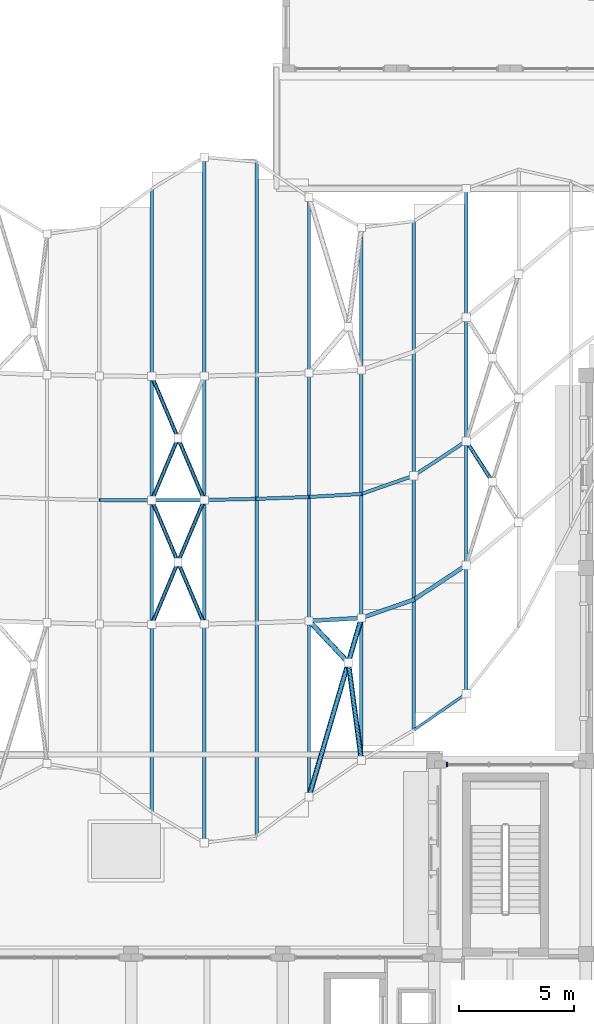
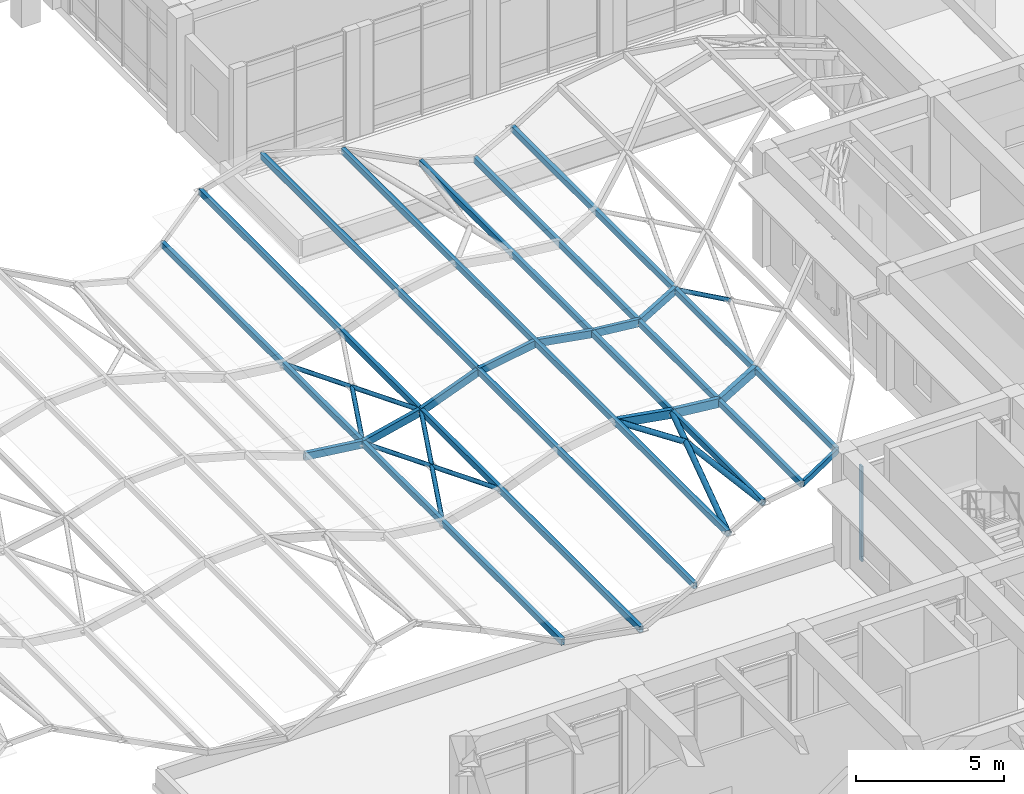
# One storey, part 17 of 79: 28 members, 1 element without a shape of its own.
"""IFC4 building model written with IfcOpenShell, lengths in metres."""

from ifc_helpers import new_model, si_unit, direction, frame, origin, origin_2d, place, context, subcontext, project, spatial, rectangle, hollow_rectangle, hollow_circle, extrude, material, layer, layer_set, material_profile, profile_set, type_object, element, aggregate, save


model = new_model("IFC4")

# Units and contexts
model_context = context("Model", 3, precision=1e-05, world=origin(), true_north=direction((0.0, 1.0)))
body_context = subcontext(model_context, "Body", "Model", "MODEL_VIEW")
ifc_project = project(units=[si_unit("LENGTHUNIT", "METRE"), si_unit("AREAUNIT", "SQUARE_METRE"), si_unit("VOLUMEUNIT", "CUBIC_METRE"), si_unit("PLANEANGLEUNIT", "RADIAN"), si_unit("MASSUNIT", "GRAM", prefix="KILO")], contexts=[model_context])

# Site, building, storey
site_placement = place(None, origin())
site = spatial("IfcSite", under=ifc_project, at=site_placement, CompositionType="ELEMENT")
building_placement = place(site_placement, origin())
building = spatial("IfcBuilding", under=site, at=building_placement, Name="Kolvaren Faculty of Natural Sciences", CompositionType="ELEMENT")
storey_placement = place(building_placement, frame((0.0, 0.0, 10.199951171875)))
storey = spatial("IfcBuildingStorey", under=building, at=storey_placement, Name="L02", CompositionType="ELEMENT", Elevation=10.199951171875)

# Members
ifc_material_1 = material(Name="Structural steel EN 10210-1 S355J2H (white architectural finish)", Category="steel")
ifc_material_profile_1 = material_profile(ifc_material_1, hollow_circle(Radius=0.084228515625, WallThickness=0.008056640625, at=origin_2d()), Name="CHS 168.3x8")
ifc_profile_set_1 = profile_set([ifc_material_profile_1], Name="Structural steel EN 10210-1 S355J2H (white architectural finish)")
member_type_1 = type_object("IfcMemberType", Name="CanopyGridCrossBrace_CHS168", PredefinedType="BRACE", material=ifc_profile_set_1)
member_1_placement = place(storey_placement, frame((113.300048828125, 48.14990234375, 2.388671875), z_axis=(0.386611150325, 0.917839525295, 0.090013467056), x_axis=(-0.92158063738, 0.388186976607, 0.0)))
element("IfcMember", 1, at=member_1_placement, inside=storey, type_object=member_type_1, Name="Canopy X-brace continuous diagonal S2-34-A", PredefinedType="BRACE", context=body_context, shape_type="SweptSolid", body=[
    extrude(hollow_circle(Radius=0.084228515625, WallThickness=0.008056640625, at=origin_2d()), origin(), (0.0, 0.0, 1.0), 5.90185546875),
])
for number, where, z_axis, x_axis, name in (
    (2, (113.300048828125, 53.550048828125, 2.388671875), (0.388646482037, -0.916932904871, 0.090487346984), (0.920710020877, 0.390247431071, 0.0), "Canopy X-brace split diagonal S2-34-B1"),
    (3, (114.44091796875, 50.8583984375, 2.654296875), (0.388646482037, -0.916932904871, 0.090487346984), (0.920710020877, 0.390247431071, 0.0), "Canopy X-brace split diagonal S2-34-B2"),
):
    element("IfcMember", number, at=place(storey_placement, frame(where, z_axis=z_axis, x_axis=x_axis)), inside=storey, type_object=member_type_1, Name=name, PredefinedType="BRACE", context=body_context, shape_type="SweptSolid", body=[
        extrude(hollow_circle(Radius=0.084228515625, WallThickness=0.008056640625, at=origin_2d()), origin(), (0.0, 0.0, 1.0), 2.935546875),
    ])
member_2_placement = place(storey_placement, frame((113.300048828125, 58.949951171875, 2.388671875), z_axis=(0.38866130163, -0.916926282863, 0.090490797384), x_axis=(0.920703661429, 0.390262434564, 0.0)))
element("IfcMember", 4, at=member_2_placement, inside=storey, type_object=member_type_1, Name="Canopy X-brace continuous diagonal N2-34-A", PredefinedType="BRACE", context=body_context, shape_type="SweptSolid", body=[
    extrude(hollow_circle(Radius=0.084228515625, WallThickness=0.008056640625, at=origin_2d()), origin(), (0.0, 0.0, 1.0), 5.870849609375),
])
member_3_placement = place(storey_placement, frame((113.300048828125, 53.550048828125, 2.388671875), z_axis=(0.38664050989, 0.917826487526, 0.090020302752), x_axis=(-0.921568118168, 0.388216696674, 0.0)))
element("IfcMember", 5, at=member_3_placement, inside=storey, type_object=member_type_1, Name="Canopy X-brace split diagonal N2-34-B1", PredefinedType="BRACE", context=body_context, shape_type="SweptSolid", body=[
    extrude(hollow_circle(Radius=0.084228515625, WallThickness=0.008056640625, at=origin_2d()), origin(), (0.0, 0.0, 1.0), 2.95068359375),
])
member_4_placement = place(storey_placement, frame((126.990966796875, 56.130615234375, 2.375732421875), z_axis=(0.540166713202, -0.835160390089, 0.103571447684), x_axis=(0.839676154798, 0.543087428563, 0.0)))
element("IfcMember", 6, at=member_4_placement, inside=storey, type_object=member_type_1, Name="Canopy X-brace split diagonal S2-40-B1", PredefinedType="BRACE", context=body_context, shape_type="SweptSolid", body=[
    extrude(hollow_circle(Radius=0.084228515625, WallThickness=0.008056640625, at=origin_2d()), origin(), (0.0, 0.0, 1.0), 2.112060546875),
])
ifc_material_profile_2 = material_profile(ifc_material_1, hollow_rectangle(XDim=0.14990234375, YDim=0.300048828125, WallThickness=0.010009765625, at=origin_2d()), Name="RHS 300x150x10")
ifc_profile_set_2 = profile_set([ifc_material_profile_2], Name="Structural steel EN 10210-1 S355J2H (white architectural finish)")
member_type_2 = type_object("IfcMemberType", Name="CanopyRidgeChord_RHS300", PredefinedType="PURLIN", material=ifc_profile_set_2)
member_5_placement = place(storey_placement, frame((111.018310546875, 53.56689453125, 2.635498046875), z_axis=(0.992956839852, -0.00733083907, -0.118249621523), x_axis=(0.00738263638, 0.999972747969, 0.0)))
element("IfcMember", 7, at=member_5_placement, inside=storey, type_object=member_type_2, Name="Covered street wave canopy ridge chord 33", PredefinedType="PURLIN", context=body_context, shape_type="SweptSolid", body=[
    extrude(hollow_rectangle(XDim=0.14990234375, YDim=0.300048828125, WallThickness=0.010009765625, at=origin_2d()), origin(), (0.0, 0.0, 1.0), 2.2978515625),
])
member_6_placement = place(storey_placement, frame((113.300048828125, 53.550048828125, 2.36376953125), z_axis=(0.973948080995, 0.007190500491, 0.226657080694), x_axis=(-0.00738263638, 0.999972747969, 0.0)))
element("IfcMember", 8, at=member_6_placement, inside=storey, type_object=member_type_2, Name="Covered street wave canopy ridge chord 34", PredefinedType="PURLIN", context=body_context, shape_type="SweptSolid", body=[
    extrude(hollow_rectangle(XDim=0.14990234375, YDim=0.300048828125, WallThickness=0.010009765625, at=origin_2d()), origin(), (0.0, 0.0, 1.0), 2.3427734375),
])
member_7_placement = place(storey_placement, frame((115.581787109375, 53.56689453125, 2.894775390625), z_axis=(0.940321833392, 0.020524893432, 0.339666863849), x_axis=(-0.021822321893, 0.999761864779, 0.0)))
element("IfcMember", 9, at=member_7_placement, inside=storey, type_object=member_type_2, Name="Covered street wave canopy ridge chord 35", PredefinedType="PURLIN", context=body_context, shape_type="SweptSolid", body=[
    extrude(hollow_rectangle(XDim=0.14990234375, YDim=0.300048828125, WallThickness=0.010009765625, at=origin_2d()), origin(), (0.0, 0.0, 1.0), 2.426513671875),
])
member_8_placement = place(storey_placement, frame((117.863525390625, 53.61669921875, 3.718994140625), z_axis=(0.989320025682, 0.035775133057, 0.141301191215), x_axis=(-0.036137715307, 0.999346819444, 0.0)))
element("IfcMember", 10, at=member_8_placement, inside=storey, type_object=member_type_2, Name="Covered street wave canopy ridge chord 36", PredefinedType="PURLIN", context=body_context, shape_type="SweptSolid", body=[
    extrude(hollow_rectangle(XDim=0.14990234375, YDim=0.300048828125, WallThickness=0.010009765625, at=origin_2d()), origin(), (0.0, 0.0, 1.0), 2.306640625),
])
member_9_placement = place(storey_placement, frame((120.1455078125, 53.69921875, 4.044921875), z_axis=(0.976564300071, 0.056320153835, -0.207726281676), x_axis=(-0.057576060894, 0.998341122669, 0.0)))
element("IfcMember", 11, at=member_9_placement, inside=storey, type_object=member_type_2, Name="Covered street wave canopy ridge chord 37", PredefinedType="PURLIN", context=body_context, shape_type="SweptSolid", body=[
    extrude(hollow_rectangle(XDim=0.14990234375, YDim=0.300048828125, WallThickness=0.010009765625, at=origin_2d()), origin(), (0.0, 0.0, 1.0), 2.33642578125),
])
member_10_placement = place(storey_placement, frame((122.42724609375, 53.830810546875, 3.5595703125), z_axis=(0.892911133441, 0.311458409482, -0.325120542168), x_axis=(-0.329351210224, 0.944207487962, 0.0)))
element("IfcMember", 12, at=member_10_placement, inside=storey, type_object=member_type_2, Name="Covered street wave canopy ridge chord 38", PredefinedType="PURLIN", context=body_context, shape_type="SweptSolid", body=[
    extrude(hollow_rectangle(XDim=0.14990234375, YDim=0.300048828125, WallThickness=0.010009765625, at=origin_2d()), origin(), (0.0, 0.0, 1.0), 2.555419921875),
])
member_11_placement = place(storey_placement, frame((124.708984375, 54.626708984375, 2.728759765625), z_axis=(0.827108832716, 0.545093656738, -0.136981328024), x_axis=(-0.550280807421, 0.834979660222, 0.0)))
element("IfcMember", 13, at=member_11_placement, inside=storey, type_object=member_type_2, Name="Covered street wave canopy ridge chord 39", PredefinedType="PURLIN", context=body_context, shape_type="SweptSolid", body=[
    extrude(hollow_rectangle(XDim=0.14990234375, YDim=0.300048828125, WallThickness=0.010009765625, at=origin_2d()), origin(), (0.0, 0.0, 1.0), 2.759033203125),
])
ifc_material_profile_3 = material_profile(ifc_material_1, hollow_rectangle(XDim=0.175048828125, YDim=0.35009765625, WallThickness=0.012451171875, at=origin_2d()), Name="RHS 350x175x12.5")
ifc_profile_set_3 = profile_set([ifc_material_profile_3], Name="Structural steel EN 10210-1 S355J2H (white architectural finish)")
member_type_3 = type_object("IfcMemberType", Name="CanopySpineChord_RHS350", PredefinedType="PURLIN", material=ifc_profile_set_3)
member_12_placement = place(storey_placement, frame((120.1455078125, 48.299072265625, 4.019775390625), z_axis=(0.976564300071, 0.056320153835, -0.207726281676), x_axis=(-0.057576060894, 0.998341122669, 0.0)))
element("IfcMember", 14, at=member_12_placement, inside=storey, type_object=member_type_3, Name="Covered street wave canopy s-spine chord 37", PredefinedType="PURLIN", context=body_context, shape_type="SweptSolid", body=[
    extrude(hollow_rectangle(XDim=0.175048828125, YDim=0.35009765625, WallThickness=0.012451171875, at=origin_2d()), origin(), (0.0, 0.0, 1.0), 2.33642578125),
])
member_13_placement = place(storey_placement, frame((122.42724609375, 48.4306640625, 3.534423828125), z_axis=(0.892938866101, 0.311468082976, -0.325035097633), x_axis=(-0.329351210224, 0.944207487962, 0.0)))
element("IfcMember", 15, at=member_13_placement, inside=storey, type_object=member_type_3, Name="Covered street wave canopy s-spine chord 38", PredefinedType="PURLIN", context=body_context, shape_type="SweptSolid", body=[
    extrude(hollow_rectangle(XDim=0.175048828125, YDim=0.35009765625, WallThickness=0.012451171875, at=origin_2d()), origin(), (0.0, 0.0, 1.0), 2.555419921875),
])
member_14_placement = place(storey_placement, frame((124.708984375, 49.2265625, 2.703857421875), z_axis=(0.827098803966, 0.545087047441, -0.137068155274), x_axis=(-0.550280807421, 0.834979660222, 0.0)))
element("IfcMember", 16, at=member_14_placement, inside=storey, type_object=member_type_3, Name="Covered street wave canopy s-spine chord 39", PredefinedType="PURLIN", context=body_context, shape_type="SweptSolid", body=[
    extrude(hollow_rectangle(XDim=0.175048828125, YDim=0.35009765625, WallThickness=0.012451171875, at=origin_2d()), origin(), (0.0, 0.0, 1.0), 2.759033203125),
])
ifc_material_profile_4 = material_profile(ifc_material_1, hollow_rectangle(XDim=0.14990234375, YDim=0.25, WallThickness=0.010009765625, at=origin_2d()), Name="RHS 250x150x10")
ifc_profile_set_4 = profile_set([ifc_material_profile_4], Name="Structural steel EN 10210-1 S355J2H (white architectural finish)")
member_type_4 = type_object("IfcMemberType", Name="CanopyTransverseRafter_RHS250", PredefinedType="RAFTER", material=ifc_profile_set_4)
member_15_placement = place(storey_placement, frame((113.300048828125, 39.978515625, 2.388671875), z_axis=(0.0, 1.0, 0.0), x_axis=(-1.0, 0.0, 0.0)))
element("IfcMember", 17, at=member_15_placement, inside=storey, type_object=member_type_4, Name="Covered street canopy transverse rafter 34", PredefinedType="RAFTER", context=body_context, shape_type="SweptSolid", body=[
    extrude(hollow_rectangle(XDim=0.14990234375, YDim=0.25, WallThickness=0.010009765625, at=origin_2d()), origin(), (0.0, 0.0, 1.0), 27.142822265625),
])
member_16_placement = place(storey_placement, frame((115.581787109375, 38.63671875, 2.919921875), z_axis=(0.0, 1.0, 0.0), x_axis=(-1.0, 0.0, 0.0)))
element("IfcMember", 18, at=member_16_placement, inside=storey, type_object=member_type_4, Name="Covered street canopy transverse rafter 35", PredefinedType="RAFTER", context=body_context, shape_type="SweptSolid", body=[
    extrude(hollow_rectangle(XDim=0.14990234375, YDim=0.25, WallThickness=0.010009765625, at=origin_2d()), origin(), (0.0, 0.0, 1.0), 29.860107421875),
])
member_17_placement = place(storey_placement, frame((117.863525390625, 38.94140625, 3.744140625), z_axis=(0.0, 1.0, 0.0), x_axis=(-1.0, 0.0, 0.0)))
element("IfcMember", 19, at=member_17_placement, inside=storey, type_object=member_type_4, Name="Covered street canopy transverse rafter 36", PredefinedType="RAFTER", context=body_context, shape_type="SweptSolid", body=[
    extrude(hollow_rectangle(XDim=0.14990234375, YDim=0.25, WallThickness=0.010009765625, at=origin_2d()), origin(), (0.0, 0.0, 1.0), 29.350830078125),
])
member_18_placement = place(storey_placement, frame((120.1455078125, 40.64697265625, 4.06982421875), z_axis=(0.0, 1.0, 0.0), x_axis=(-1.0, 0.0, 0.0)))
element("IfcMember", 20, at=member_18_placement, inside=storey, type_object=member_type_4, Name="Covered street canopy transverse rafter 37", PredefinedType="RAFTER", context=body_context, shape_type="SweptSolid", body=[
    extrude(hollow_rectangle(XDim=0.14990234375, YDim=0.25, WallThickness=0.010009765625, at=origin_2d()), origin(), (0.0, 0.0, 1.0), 26.104248046875),
])
member_19_placement = place(storey_placement, frame((122.42724609375, 42.230224609375, 3.58447265625), z_axis=(0.0, 1.0, 0.0), x_axis=(-1.0, 0.0, 0.0)))
element("IfcMember", 21, at=member_19_placement, inside=storey, type_object=member_type_4, Name="Covered street canopy transverse rafter 38", PredefinedType="RAFTER", context=body_context, shape_type="SweptSolid", body=[
    extrude(hollow_rectangle(XDim=0.14990234375, YDim=0.25, WallThickness=0.010009765625, at=origin_2d()), origin(), (0.0, 0.0, 1.0), 23.200927734375),
])
member_20_placement = place(storey_placement, frame((124.708984375, 43.548095703125, 2.75390625), z_axis=(0.0, 1.0, 0.0), x_axis=(-1.0, 0.0, 0.0)))
element("IfcMember", 22, at=member_20_placement, inside=storey, type_object=member_type_4, Name="Covered street canopy transverse rafter 39", PredefinedType="RAFTER", context=body_context, shape_type="SweptSolid", body=[
    extrude(hollow_rectangle(XDim=0.14990234375, YDim=0.25, WallThickness=0.010009765625, at=origin_2d()), origin(), (0.0, 0.0, 1.0), 22.156982421875),
])
member_21_placement = place(storey_placement, frame((126.990966796875, 45.134521484375, 2.375732421875), z_axis=(0.0, 1.0, 0.0), x_axis=(-1.0, 0.0, 0.0)))
element("IfcMember", 23, at=member_21_placement, inside=storey, type_object=member_type_4, Name="Covered street canopy transverse rafter 40", PredefinedType="RAFTER", context=body_context, shape_type="SweptSolid", body=[
    extrude(hollow_rectangle(XDim=0.14990234375, YDim=0.25, WallThickness=0.010009765625, at=origin_2d()), origin(), (0.0, 0.0, 1.0), 21.991943359375),
])
ifc_material_profile_5 = material_profile(ifc_material_1, hollow_rectangle(XDim=0.1201171875, YDim=0.219970703125, WallThickness=0.008056640625, at=origin_2d()), Name="RHS 220x120x8")
ifc_profile_set_5 = profile_set([ifc_material_profile_5], Name="Structural steel EN 10210-1 S355J2H (white architectural finish)")
member_type_5 = type_object("IfcMemberType", Name="CanopyWaveEdgeChord_RHS220", PredefinedType="RAFTER", material=ifc_profile_set_5)
member_22_placement = place(storey_placement, frame((124.708984375, 43.548095703125, 2.768798828125), z_axis=(0.813592861571, 0.565606763078, -0.134742885387), x_axis=(-0.570812230616, 0.821080627819, 0.0)))
element("IfcMember", 24, at=member_22_placement, inside=storey, type_object=member_type_5, Name="Covered street wave canopy s-wave chord 39", PredefinedType="RAFTER", context=body_context, shape_type="SweptSolid", body=[
    extrude(hollow_rectangle(XDim=0.1201171875, YDim=0.219970703125, WallThickness=0.008056640625, at=origin_2d()), origin(), (0.0, 0.0, 1.0), 2.804931640625),
])
ifc_material_profile_6 = material_profile(ifc_material_1, hollow_circle(Radius=0.109619140625, WallThickness=0.010009765625, at=origin_2d()), Name="CHS 219.1x10")
ifc_profile_set_6 = profile_set([ifc_material_profile_6], Name="Structural steel EN 10210-1 S355J2H (white architectural finish)")
member_type_6 = type_object("IfcMemberType", Name="CanopyWindBrace_CHS219", PredefinedType="BRACE", material=ifc_profile_set_6)
member_23_placement = place(storey_placement, frame((120.1455078125, 40.64697265625, 4.06982421875), z_axis=(0.280803545742, 0.957904841146, -0.059730092974), x_axis=(-0.959618177886, 0.281305799213, 0.0)))
element("IfcMember", 25, at=member_23_placement, inside=storey, type_object=member_type_6, Name="Canopy X-brace continuous diagonal S1-37-A", PredefinedType="BRACE", context=body_context, shape_type="SweptSolid", body=[
    extrude(hollow_circle(Radius=0.109619140625, WallThickness=0.010009765625, at=origin_2d()), origin(), (0.0, 0.0, 1.0), 8.125732421875),
])
member_24_placement = place(storey_placement, frame((120.1455078125, 48.299072265625, 4.06982421875), z_axis=(0.679006866346, -0.719786023369, -0.144422145181), x_axis=(0.727412090532, 0.686200882066, 0.0)))
element("IfcMember", 26, at=member_24_placement, inside=storey, type_object=member_type_6, Name="Canopy X-brace split diagonal S1-37-B1", PredefinedType="BRACE", context=body_context, shape_type="SweptSolid", body=[
    extrude(hollow_circle(Radius=0.109619140625, WallThickness=0.010009765625, at=origin_2d()), origin(), (0.0, 0.0, 1.0), 2.5205078125),
])
member_25_placement = place(storey_placement, frame((121.85693359375, 46.48486328125, 3.705810546875), z_axis=(0.132803558504, -0.990739560812, -0.028254866685), x_axis=(0.991135270027, 0.132856601296, 0.0)))
element("IfcMember", 27, at=member_25_placement, inside=storey, type_object=member_type_6, Name="Canopy X-brace split diagonal S1-37-B2", PredefinedType="BRACE", context=body_context, shape_type="SweptSolid", body=[
    extrude(hollow_circle(Radius=0.109619140625, WallThickness=0.010009765625, at=origin_2d()), origin(), (0.0, 0.0, 1.0), 4.29443359375),
])

# Curtain wall, member
ifc_material_2 = material(Name="Thermally broken anodised aluminium framing", Category="aluminium")
ifc_layer = layer(ifc_material_2, 0.179931640625)
ifc_layer_set = layer_set([ifc_layer], Name="Thermally broken anodised aluminium framing")
curtain_wall_type = type_object("IfcCurtainWallType", Name="CommonsCurtainWall_CW02", PredefinedType="NOTDEFINED", material=ifc_layer_set)
curtain_wall_placement = place(storey_placement, origin())
curtain_wall = element("IfcCurtainWall", 28, at=curtain_wall_placement, inside=storey, type_object=curtain_wall_type, Name="L02 unitised curtain wall CW-02 (CW-L02-083)", PredefinedType="NOTDEFINED")
ifc_material_profile_7 = material_profile(ifc_material_2, rectangle(XDim=0.06005859375, YDim=0.179931640625, at=origin_2d()), Name="ALU MUL 60x180")
ifc_profile_set_7 = profile_set([ifc_material_profile_7], Name="Thermally broken anodised aluminium framing")
member_type_7 = type_object("IfcMemberType", Name="CurtainMullion_60x180", PredefinedType="MULLION", material=ifc_profile_set_7)
member_26_placement = place(storey_placement, frame((126.14990234375, 42.050048828125, 0.0), z_axis=(0.0, 0.0, 1.0), x_axis=(1.0, 0.0, 0.0)))
member_26 = element("IfcMember", 29, at=member_26_placement, type_object=member_type_7, Name="CW-L02-083 vertical mullion 1", PredefinedType="MULLION", context=body_context, shape_type="SweptSolid", body=[
    extrude(rectangle(XDim=0.06005859375, YDim=0.179931640625, at=origin_2d()), origin(), (0.0, 0.0, 1.0), 3.93505859375),
])
aggregate(curtain_wall, [member_26])

save(model, "model.ifc")
